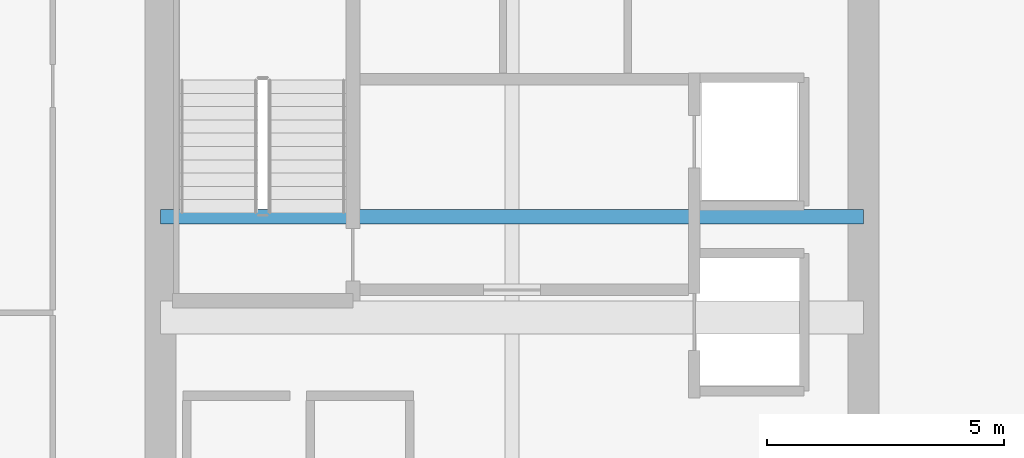
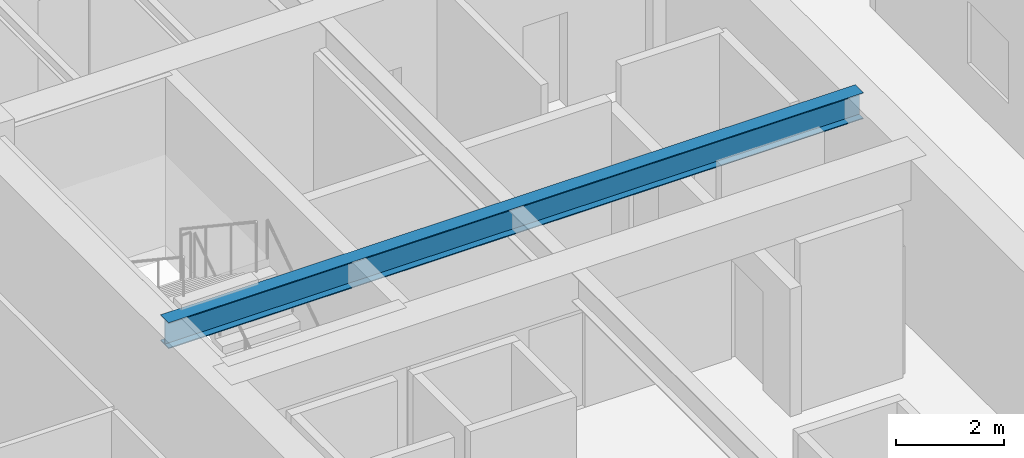
# One storey, part 9 of 30: 1 beam.
"""IFC4 building model written with IfcOpenShell, lengths in metres."""

import ifcopenshell
import ifcopenshell.guid

model = None  # the IFC model being written
_history = None  # IfcOwnerHistory: only IFC2X3 demands one
_inside = {}  # id of a spatial element -> (the spatial element, [elements in it])
_under = {}  # id of a project, library or spatial element -> (it, [spatial elements below it])
_declared = {}  # id of a project -> (the project, [libraries it declares])
_typed = {}  # id of a type object -> (the type object, [elements of that type])
_made_of = {}  # id of a material, layer set ... -> (it, [elements and type objects made of it])


def new_model(schema):
    """Start an empty IFC model of exactly this schema.

    Asked for "IFC4X3", IfcOpenShell would pick the latest addendum, in which some entities
    have other attributes; the version numbers below select the first issue.
    IFC2X3 requires an IfcOwnerHistory on every rooted entity: one is made here for all.
    """
    global model, _history
    if schema == "IFC4X3":
        model = ifcopenshell.file(schema_version=(4, 3, 0, 0))
    else:
        model = ifcopenshell.file(schema=schema)
    _inside.clear()
    _under.clear()
    _declared.clear()
    _typed.clear()
    _made_of.clear()
    _history = None
    if model.schema == "IFC2X3":
        org = make("IfcOrganization", Name="unknown")
        user = make(
            "IfcPersonAndOrganization",
            ThePerson=make("IfcPerson", FamilyName="unknown"),
            TheOrganization=org,
        )
        app = make(
            "IfcApplication",
            ApplicationDeveloper=org,
            Version="unknown",
            ApplicationFullName="unknown",
            ApplicationIdentifier="unknown",
        )
        _history = make(
            "IfcOwnerHistory",
            OwningUser=user,
            OwningApplication=app,
            ChangeAction="ADDED",
            CreationDate=0,
        )
    return model


def make(cls, **values):
    """One entity of the class cls with the attributes given. An attribute that is None is left unset."""
    return model.create_entity(
        cls, **{name: value for name, value in values.items() if value is not None}
    )


def rooted(cls, **values):
    """An entity with a GlobalId (a new one), such as an element, a storey or a relation."""
    return make(cls, GlobalId=ifcopenshell.guid.new(), OwnerHistory=_history, **values)


def si_unit(unit_type, name, prefix=None):
    """IfcSIUnit, for example si_unit("LENGTHUNIT", "METRE", prefix="MILLI")."""
    return make("IfcSIUnit", UnitType=unit_type, Prefix=prefix, Name=name)


def assignment(units):
    """IfcUnitAssignment: the units of a project."""
    return None if units is None else make("IfcUnitAssignment", Units=units)


def point(xyz):
    """IfcCartesianPoint."""
    return None if xyz is None else make("IfcCartesianPoint", Coordinates=xyz)


def direction(xyz):
    """IfcDirection."""
    return None if xyz is None else make("IfcDirection", DirectionRatios=xyz)


def frame(location, z_axis=None, x_axis=None):
    """IfcAxis2Placement3D, a coordinate frame: its origin and axes. An axis left out is left unset."""
    return make(
        "IfcAxis2Placement3D",
        Location=point(location),
        Axis=direction(z_axis),
        RefDirection=direction(x_axis),
    )


def frame_2d(location, x_axis=None):
    """IfcAxis2Placement2D, a coordinate frame in the plane: its origin and x axis."""
    return make(
        "IfcAxis2Placement2D", Location=point(location), RefDirection=direction(x_axis)
    )


def origin():
    """The frame at (0, 0, 0) with its axes left unset."""
    return frame((0.0, 0.0, 0.0))


def origin_2d():
    """The frame at (0, 0) in the plane with its x axis left unset."""
    return frame_2d((0.0, 0.0))


def place(relative_to, where):
    """IfcLocalPlacement: puts the frame where relative to a parent placement (None: the world)."""
    return make(
        "IfcLocalPlacement", PlacementRelTo=relative_to, RelativePlacement=where
    )


def context(
    kind, dimensions, precision=None, world=None, true_north=None, identifier=None
):
    """IfcGeometricRepresentationContext, for example the 3D "Model" context."""
    return make(
        "IfcGeometricRepresentationContext",
        ContextIdentifier=identifier,
        ContextType=kind,
        CoordinateSpaceDimension=dimensions,
        Precision=precision,
        WorldCoordinateSystem=world,
        TrueNorth=true_north,
    )


def subcontext(parent, identifier, kind, view, scale=None):
    """IfcGeometricRepresentationSubContext, for example "Body" below "Model"."""
    return make(
        "IfcGeometricRepresentationSubContext",
        ContextIdentifier=identifier,
        ContextType=kind,
        ParentContext=parent,
        TargetScale=scale,
        TargetView=view,
    )


def project(units=None, contexts=None):
    """IfcProject with its units and contexts."""
    return rooted(
        "IfcProject",
        Name="project",
        RepresentationContexts=contexts,
        UnitsInContext=assignment(units),
    )


def spatial(cls, under=None, at=None, **own):
    """A site, building, storey or space (cls), placed at a placement, below another one or the project."""
    s = rooted(cls, ObjectPlacement=at, **own)
    if under is not None:
        _under.setdefault(under.id(), (under, []))[1].append(s)
    return s


def profile(cls, at=None, kind="AREA", **sizes):
    """A parametric profile (cls). Its sizes go by their IFC names, for example OverallWidth=200.0."""
    return make(cls, ProfileType=kind, Position=at, **sizes)


def i_section(**sizes):
    """IfcIShapeProfileDef."""
    return profile("IfcIShapeProfileDef", **sizes)


def extrude(swept, where, along, depth):
    """IfcExtrudedAreaSolid: the profile swept, set in the frame where, extruded along a direction by depth."""
    return make(
        "IfcExtrudedAreaSolid",
        SweptArea=swept,
        Position=where,
        ExtrudedDirection=direction(along),
        Depth=depth,
    )


def shape(context_of_items, identifier, shape_type, items):
    """IfcShapeRepresentation: the items that make up one representation, for example the "Body"."""
    return make(
        "IfcShapeRepresentation",
        ContextOfItems=context_of_items,
        RepresentationIdentifier=identifier,
        RepresentationType=shape_type,
        Items=items,
    )


def source(mapping_origin, context_of_items, identifier, shape_type, items):
    """IfcRepresentationMap: a shape defined once, which mapped items show again and again."""
    return make(
        "IfcRepresentationMap",
        MappingOrigin=mapping_origin,
        MappedRepresentation=shape(context_of_items, identifier, shape_type, items),
    )


def transform(
    local_origin,
    x_axis=None,
    y_axis=None,
    z_axis=None,
    scale=None,
    scale2=None,
    scale3=None,
    uniform=True,
):
    """IfcCartesianTransformationOperator3D, or its non-uniform kind. x_axis, y_axis, z_axis: its Axis1, 2, 3."""
    if uniform:
        return make(
            "IfcCartesianTransformationOperator3D",
            Axis1=direction(x_axis),
            Axis2=direction(y_axis),
            LocalOrigin=point(local_origin),
            Scale=scale,
            Axis3=direction(z_axis),
        )
    return make(
        "IfcCartesianTransformationOperator3DnonUniform",
        Axis1=direction(x_axis),
        Axis2=direction(y_axis),
        LocalOrigin=point(local_origin),
        Scale=scale,
        Axis3=direction(z_axis),
        Scale2=scale2,
        Scale3=scale3,
    )


def mapped(mapping_source, mapping_target):
    """IfcMappedItem: shows the shape of a source again, moved by a transform."""
    return make(
        "IfcMappedItem", MappingSource=mapping_source, MappingTarget=mapping_target
    )


def material(Name=None, Category=None):
    """IfcMaterial."""
    return make("IfcMaterial", Name=Name, Category=Category)


def material_profile(
    of_material, cross_section, Name=None, Category=None, Priority=None
):
    """IfcMaterialProfile: a cross section and its material."""
    return make(
        "IfcMaterialProfile",
        Name=Name,
        Material=of_material,
        Profile=cross_section,
        Priority=Priority,
        Category=Category,
    )


def profile_set(profiles, Name=None, composite=None):
    """IfcMaterialProfileSet."""
    return make(
        "IfcMaterialProfileSet",
        Name=Name,
        MaterialProfiles=profiles,
        CompositeProfile=composite,
    )


def made_of(thing, what):
    """Note that an element or type object is made of a material, layer set ...; save() writes the relation."""
    if what is not None:
        _made_of.setdefault(what.id(), (what, []))[1].append(thing)
    return thing


def type_object(cls, material=None, **own):
    """A type object (cls), such as IfcWallType, which elements share."""
    return made_of(rooted(cls, **own), material)


def type_shapes(of_type, sources):
    """Give a type object the sources (RepresentationMaps) that its elements show as mapped items."""
    of_type.RepresentationMaps = sources


def element(
    cls,
    number,
    at=None,
    inside=None,
    cuts=None,
    type_object=None,
    material=None,
    context=None,
    identifier="Body",
    shape_type=None,
    held_by="IfcProductDefinitionShape",
    body=None,
    shapes=None,
    **own,
):
    """One element of the class cls, such as IfcWall. Its Tag is "e" and its number.

    at: its placement. inside: the storey or other place that contains it. cuts: it is an
    opening in that element (IfcRelVoidsElement). A single representation is given by context,
    identifier, shape_type and body (its items); several are given by shapes. held_by: the class
    of the entity that holds the representations. save() writes the other relations.
    """
    e = rooted(cls, Tag="e%d" % number, ObjectPlacement=at, **own)
    if body is not None:
        shapes = [shape(context, identifier, shape_type, body)]
    if shapes is not None:
        e.Representation = make(held_by, Representations=shapes)
    if inside is not None:
        _inside.setdefault(inside.id(), (inside, []))[1].append(e)
    if cuts is not None:
        rooted(
            "IfcRelVoidsElement", RelatingBuildingElement=cuts, RelatedOpeningElement=e
        )
    if type_object is not None:
        _typed.setdefault(type_object.id(), (type_object, []))[1].append(e)
    return made_of(e, material)


def aggregate(whole, parts):
    """IfcRelAggregates: a whole, such as a stair, and the parts it consists of."""
    return rooted("IfcRelAggregates", RelatingObject=whole, RelatedObjects=parts)


def save(model, path):
    """Write the relations noted so far, then the file.

    IfcRelAggregates (storeys below a building ...), IfcRelContainedInSpatialStructure (elements
    in a storey), IfcRelDefinesByType, IfcRelAssociatesMaterial and IfcRelDeclares: one each for
    every whole, place, type object, material and project.
    """
    for whole, parts in _under.values():
        aggregate(whole, parts)
    for where, things in _inside.values():
        rooted(
            "IfcRelContainedInSpatialStructure",
            RelatedElements=things,
            RelatingStructure=where,
        )
    for kind, things in _typed.values():
        rooted("IfcRelDefinesByType", RelatedObjects=things, RelatingType=kind)
    for what, things in _made_of.values():
        rooted("IfcRelAssociatesMaterial", RelatedObjects=things, RelatingMaterial=what)
    for by, libraries in _declared.values():
        rooted("IfcRelDeclares", RelatingContext=by, RelatedDefinitions=libraries)
    model.write(path)


model = new_model("IFC4")

# Units and contexts
model_context = context("Model", 3, precision=1e-05, world=origin(), true_north=direction((0.0, 1.0)))
body_context = subcontext(model_context, "Body", "Model", "MODEL_VIEW")
ifc_project = project(units=[si_unit("LENGTHUNIT", "METRE"), si_unit("AREAUNIT", "SQUARE_METRE"), si_unit("VOLUMEUNIT", "CUBIC_METRE"), si_unit("PLANEANGLEUNIT", "RADIAN"), si_unit("MASSUNIT", "GRAM", prefix="KILO")], contexts=[model_context])

# Site, building, storey
site_placement = place(None, origin())
site = spatial("IfcSite", under=ifc_project, at=site_placement, CompositionType="ELEMENT")
building_placement = place(site_placement, origin())
building = spatial("IfcBuilding", under=site, at=building_placement, Name="Haelvirn Gate Laboratories", CompositionType="ELEMENT")
storey_placement = place(building_placement, frame((0.0, 0.0, 142.0)))
storey = spatial("IfcBuildingStorey", under=building, at=storey_placement, Name="L34", CompositionType="ELEMENT", Elevation=142.0)

# Beam
ifc_material = material(Name="Steel SM355", Category="steel")
ifc_material_profile = material_profile(ifc_material, i_section(OverallWidth=0.300048828125, OverallDepth=0.587890625, WebThickness=0.011962890625, FlangeThickness=0.02001953125, at=origin_2d()), Name="H-588x300x12x20")
ifc_profile_set = profile_set([ifc_material_profile], Name="Steel SM355")
beam_type = type_object("IfcBeamType", Name="BM-G-588", PredefinedType="BEAM", material=ifc_profile_set)
shared_shape = source(origin(), body_context, "Body", "SweptSolid", [
    extrude(i_section(OverallWidth=0.300048828125, OverallDepth=0.587890625, WebThickness=0.011962890625, FlangeThickness=0.02001953125, at=origin_2d()), origin(), (0.0, 0.0, 1.0), 14.800048828125),
])
type_shapes(beam_type, [shared_shape])
beam_placement = place(storey_placement, frame((7.39990234375, 26.6201171875, 3.49609375), z_axis=(1.0, 0.0, 0.0), x_axis=(0.0, 1.0, 0.0)))
element("IfcBeam", 1, at=beam_placement, inside=storey, type_object=beam_type, Name="L34 Stair ST1 Landing Header", PredefinedType="BEAM", context=body_context, shape_type="MappedRepresentation", body=[
    mapped(shared_shape, transform((0.0, 0.0, 0.0), scale=1.0)),
])

save(model, "model.ifc")
